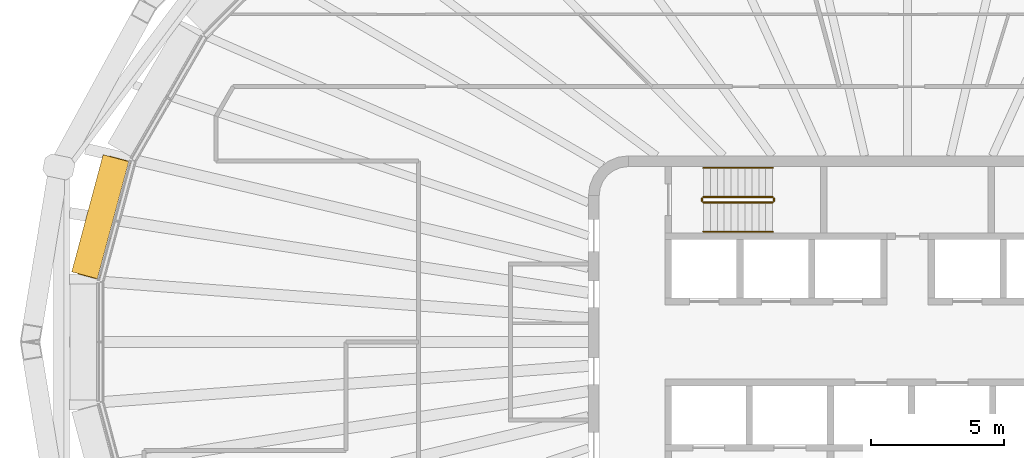
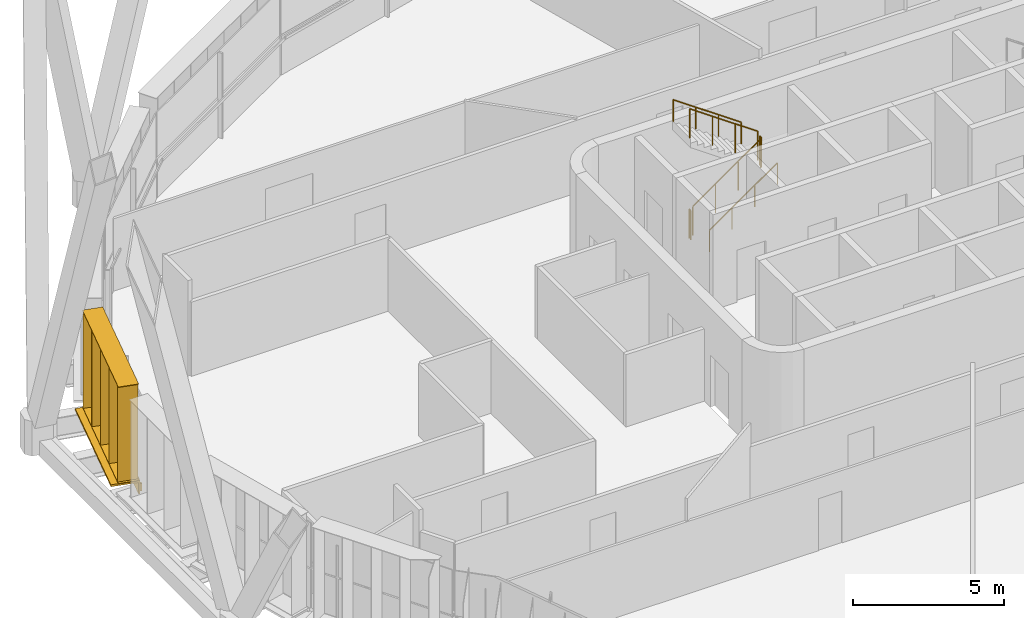
# One storey, part 19 of 22: 6 railings, 2 shading devices.
"""IFC4 building model written with IfcOpenShell, lengths in metres."""

from ifc_helpers import new_model, si_unit, direction, frame, origin, origin_2d, place, context, subcontext, project, spatial, rectangle, circle, extrude, material, type_object, element, save


model = new_model("IFC4")

# Units and contexts
model_context = context("Model", 3, precision=1e-05, world=origin(), true_north=direction((0.0, 1.0)))
body_context = subcontext(model_context, "Body", "Model", "MODEL_VIEW")
ifc_project = project(units=[si_unit("LENGTHUNIT", "METRE"), si_unit("AREAUNIT", "SQUARE_METRE"), si_unit("VOLUMEUNIT", "CUBIC_METRE"), si_unit("PLANEANGLEUNIT", "RADIAN"), si_unit("MASSUNIT", "GRAM", prefix="KILO")], contexts=[model_context])

# Site, building, storey
site_placement = place(None, origin())
site = spatial("IfcSite", under=ifc_project, at=site_placement, CompositionType="ELEMENT")
building_placement = place(site_placement, origin())
building = spatial("IfcBuilding", under=site, at=building_placement, Name="Sahrelin Media Tower", CompositionType="ELEMENT")
storey_placement = place(building_placement, frame((0.0, 0.0, 233.60009765625)))
storey = spatial("IfcBuildingStorey", under=building, at=storey_placement, Name="L50", CompositionType="ELEMENT", Elevation=233.60009765625)

# Shading device
ifc_material_1 = material(Name="Champagne anodised aluminium 6063-T6", Category="aluminium")
shading_device_type_1 = type_object("IfcShadingDeviceType", Name="Fin cassette", PredefinedType="USERDEFINED", material=ifc_material_1)
placement = place(storey_placement, frame((-29.858642578125, 4.576171875, 0.0), z_axis=(0.0, 0.0, 1.0), x_axis=(0.258807731996, 0.965928857556, 0.0)))
element("IfcShadingDevice", 1, at=placement, inside=storey, type_object=shading_device_type_1, Name="L50:FIN:L50-11", ObjectType="FIN", PredefinedType="USERDEFINED", context=body_context, shape_type="SweptSolid", body=[
    extrude(rectangle(XDim=4.60009765625, YDim=0.699951171875, at=origin_2d()), frame((0.0, 0.419921875, 0.0)), (0.0, 0.0, 1.0), 0.02001953125),
    extrude(rectangle(XDim=4.60009765625, YDim=0.699951171875, at=origin_2d()), frame((0.0, 0.419921875, 3.89990234375)), (0.0, 0.0, 1.0), 0.02001953125),
    extrude(rectangle(XDim=0.02001953125, YDim=0.699951171875, at=origin_2d()), frame((-2.199951171875, 0.419921875, 0.010009765625), z_axis=(0.0, 0.0, 1.0), x_axis=(1.0, 0.0, 0.0)), (0.0, 0.0, 1.0), 3.89990234375),
    extrude(rectangle(XDim=0.02001953125, YDim=0.699951171875, at=origin_2d()), frame((-1.10009765625, 0.419921875, 0.010009765625), z_axis=(0.0, 0.0, 1.0), x_axis=(1.0, 0.0, 0.0)), (0.0, 0.0, 1.0), 3.89990234375),
    extrude(rectangle(XDim=0.02001953125, YDim=0.699951171875, at=origin_2d()), frame((0.0, 0.419921875, 0.010009765625), z_axis=(0.0, 0.0, 1.0), x_axis=(1.0, 0.0, 0.0)), (0.0, 0.0, 1.0), 3.89990234375),
    extrude(rectangle(XDim=0.02001953125, YDim=0.699951171875, at=origin_2d()), frame((1.10009765625, 0.419921875, 0.010009765625), z_axis=(0.0, 0.0, 1.0), x_axis=(1.0, 0.0, 0.0)), (0.0, 0.0, 1.0), 3.89990234375),
    extrude(rectangle(XDim=0.02001953125, YDim=0.699951171875, at=origin_2d()), frame((2.199951171875, 0.419921875, 0.010009765625), z_axis=(0.0, 0.0, 1.0), x_axis=(1.0, 0.0, 0.0)), (0.0, 0.0, 1.0), 3.89990234375),
])

# Railings
ifc_material_2 = material(Name="Steel S355", Category="steel")
railing_type_1 = type_object("IfcRailingType", Name="Stair guard 1200", PredefinedType="GUARDRAIL", material=ifc_material_2)
railing_1_placement = place(storey_placement, frame((-7.675048828125, 5.25, 0.181640625)))
element("IfcRailing", 2, at=railing_1_placement, inside=storey, type_object=railing_type_1, Name="L50 ST1 stair guard 1", PredefinedType="GUARDRAIL", context=body_context, shape_type="SweptSolid", body=[
    extrude(circle(Radius=0.02392578125, at=origin_2d()), frame((0.0, 0.0, 1.17578125), z_axis=(0.819484887739, 0.0, 0.573100792852), x_axis=(0.0, 1.0, 0.0)), (0.0, 0.0, 1.0), 3.1728515625),
    extrude(circle(Radius=0.02099609375, at=origin_2d()), origin(), (0.0, 0.0, 1.0), 1.15185546875),
    extrude(circle(Radius=0.02099609375, at=origin_2d()), frame((0.86669921875, 0.0, 0.606201171875)), (0.0, 0.0, 1.0), 1.15185546875),
    extrude(circle(Radius=0.02099609375, at=origin_2d()), frame((1.7333984375, 0.0, 1.212158203125)), (0.0, 0.0, 1.0), 1.15185546875),
    extrude(circle(Radius=0.02099609375, at=origin_2d()), frame((2.60009765625, 0.0, 1.818359375)), (0.0, 0.0, 1.0), 1.15185546875),
])
railing_2_placement = place(storey_placement, frame((-5.02490234375, 5.300048828125, 2.0)))
element("IfcRailing", 3, at=railing_2_placement, inside=storey, type_object=railing_type_1, Name="L50 ST1 stair guard 2", PredefinedType="GUARDRAIL", context=body_context, shape_type="SweptSolid", body=[
    extrude(circle(Radius=0.02392578125, at=origin_2d()), frame((0.0, 0.0, 1.17578125), z_axis=(0.0, 1.0, 0.0), x_axis=(-1.0, 0.0, 0.0)), (0.0, 0.0, 1.0), 0.099853515625),
    extrude(circle(Radius=0.02099609375, at=origin_2d()), origin(), (0.0, 0.0, 1.0), 1.15185546875),
    extrude(circle(Radius=0.02099609375, at=origin_2d()), frame((0.0, 0.099853515625, 0.0)), (0.0, 0.0, 1.0), 1.15185546875),
])
railing_3_placement = place(storey_placement, frame((-5.074951171875, 5.449951171875, 2.181640625)))
element("IfcRailing", 4, at=railing_3_placement, inside=storey, type_object=railing_type_1, Name="L50 ST1 stair guard 3", PredefinedType="GUARDRAIL", context=body_context, shape_type="SweptSolid", body=[
    extrude(circle(Radius=0.02392578125, at=origin_2d()), frame((0.0, 0.0, 1.17578125), z_axis=(-0.819484887739, 0.0, 0.573100792852), x_axis=(0.0, -1.0, 0.0)), (0.0, 0.0, 1.0), 3.1728515625),
    extrude(circle(Radius=0.02099609375, at=origin_2d()), origin(), (0.0, 0.0, 1.0), 1.15185546875),
    extrude(circle(Radius=0.02099609375, at=origin_2d()), frame((-0.86669921875, 0.0, 0.606201171875)), (0.0, 0.0, 1.0), 1.15185546875),
    extrude(circle(Radius=0.02099609375, at=origin_2d()), frame((-1.7333984375, 0.0, 1.212158203125)), (0.0, 0.0, 1.0), 1.15185546875),
    extrude(circle(Radius=0.02099609375, at=origin_2d()), frame((-2.60009765625, 0.0, 1.818359375)), (0.0, 0.0, 1.0), 1.15185546875),
])
railing_4_placement = place(storey_placement, frame((-7.72509765625, 5.300048828125, 0.0)))
element("IfcRailing", 5, at=railing_4_placement, inside=storey, type_object=railing_type_1, Name="L50 ST1 stair guard 4", PredefinedType="GUARDRAIL", context=body_context, shape_type="SweptSolid", body=[
    extrude(circle(Radius=0.02392578125, at=origin_2d()), frame((0.0, 0.0, 1.17578125), z_axis=(0.0, 1.0, 0.0), x_axis=(-1.0, 0.0, 0.0)), (0.0, 0.0, 1.0), 0.099853515625),
    extrude(circle(Radius=0.02099609375, at=origin_2d()), origin(), (0.0, 0.0, 1.0), 1.15185546875),
    extrude(circle(Radius=0.02099609375, at=origin_2d()), frame((0.0, 0.099853515625, 0.0)), (0.0, 0.0, 1.0), 1.15185546875),
])
railing_type_2 = type_object("IfcRailingType", Name="Stair handrail 900", PredefinedType="HANDRAIL", material=ifc_material_2)
railing_5_placement = place(storey_placement, frame((-7.675048828125, 4.14990234375, 0.181640625)))
element("IfcRailing", 6, at=railing_5_placement, inside=storey, type_object=railing_type_2, Name="L50 ST1 stair handrail 1", PredefinedType="HANDRAIL", context=body_context, shape_type="SweptSolid", body=[
    extrude(circle(Radius=0.02392578125, at=origin_2d()), frame((0.0, 0.0, 0.8759765625), z_axis=(0.819484887739, 0.0, 0.573100792852), x_axis=(0.0, 1.0, 0.0)), (0.0, 0.0, 1.0), 3.1728515625),
    extrude(circle(Radius=0.02099609375, at=origin_2d()), origin(), (0.0, 0.0, 1.0), 0.851806640625),
    extrude(circle(Radius=0.02099609375, at=origin_2d()), frame((0.86669921875, 0.0, 0.606201171875)), (0.0, 0.0, 1.0), 0.851806640625),
    extrude(circle(Radius=0.02099609375, at=origin_2d()), frame((1.7333984375, 0.0, 1.212158203125)), (0.0, 0.0, 1.0), 0.851806640625),
    extrude(circle(Radius=0.02099609375, at=origin_2d()), frame((2.60009765625, 0.0, 1.818359375)), (0.0, 0.0, 1.0), 0.851806640625),
])
railing_6_placement = place(storey_placement, frame((-5.074951171875, 6.550048828125, 2.181640625)))
element("IfcRailing", 7, at=railing_6_placement, inside=storey, type_object=railing_type_2, Name="L50 ST1 stair handrail 2", PredefinedType="HANDRAIL", context=body_context, shape_type="SweptSolid", body=[
    extrude(circle(Radius=0.02392578125, at=origin_2d()), frame((0.0, 0.0, 0.8759765625), z_axis=(-0.819484887739, 0.0, 0.573100792852), x_axis=(0.0, -1.0, 0.0)), (0.0, 0.0, 1.0), 3.1728515625),
    extrude(circle(Radius=0.02099609375, at=origin_2d()), origin(), (0.0, 0.0, 1.0), 0.851806640625),
    extrude(circle(Radius=0.02099609375, at=origin_2d()), frame((-0.86669921875, 0.0, 0.606201171875)), (0.0, 0.0, 1.0), 0.851806640625),
    extrude(circle(Radius=0.02099609375, at=origin_2d()), frame((-1.7333984375, 0.0, 1.212158203125)), (0.0, 0.0, 1.0), 0.851806640625),
    extrude(circle(Radius=0.02099609375, at=origin_2d()), frame((-2.60009765625, 0.0, 1.818359375)), (0.0, 0.0, 1.0), 0.851806640625),
])

# Shading device
shading_device_type_2 = type_object("IfcShadingDeviceType", Name="Sunshade band", PredefinedType="USERDEFINED", material=ifc_material_1)
element("IfcShadingDevice", 8, at=placement, inside=storey, type_object=shading_device_type_2, Name="L50:SUN:L50-11", ObjectType="SUNSHADE", PredefinedType="USERDEFINED", context=body_context, shape_type="SweptSolid", body=[
    extrude(rectangle(XDim=4.5615234375, YDim=0.050048828125, at=origin_2d()), frame((0.0, 0.044921875, -0.55126953125)), (0.0, 0.0, 1.0), 0.471435546875),
    extrude(rectangle(XDim=4.5615234375, YDim=1.0, at=origin_2d()), frame((0.0, 0.52001953125, -0.080078125)), (0.0, 0.0, 1.0), 0.080078125),
    extrude(rectangle(XDim=0.10009765625, YDim=0.074951171875, at=origin_2d()), frame((-2.180908203125, -0.017578125, -0.47021484375)), (0.0, 0.0, 1.0), 0.300048828125),
    extrude(rectangle(XDim=0.10009765625, YDim=0.074951171875, at=origin_2d()), frame((-0.726806640625, -0.017578125, -0.47021484375)), (0.0, 0.0, 1.0), 0.300048828125),
    extrude(rectangle(XDim=0.10009765625, YDim=0.074951171875, at=origin_2d()), frame((0.726806640625, -0.017578125, -0.47021484375)), (0.0, 0.0, 1.0), 0.300048828125),
    extrude(rectangle(XDim=0.10009765625, YDim=0.074951171875, at=origin_2d()), frame((2.180908203125, -0.017578125, -0.47021484375)), (0.0, 0.0, 1.0), 0.300048828125),
])

save(model, "model.ifc")
